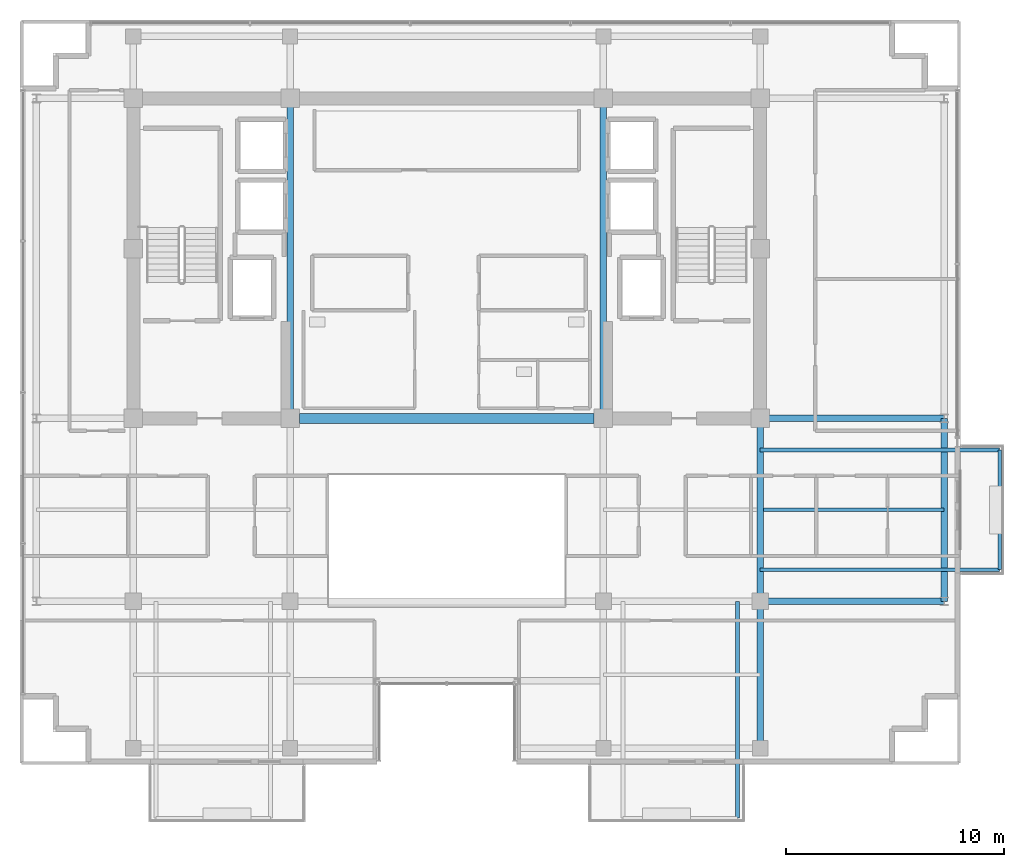
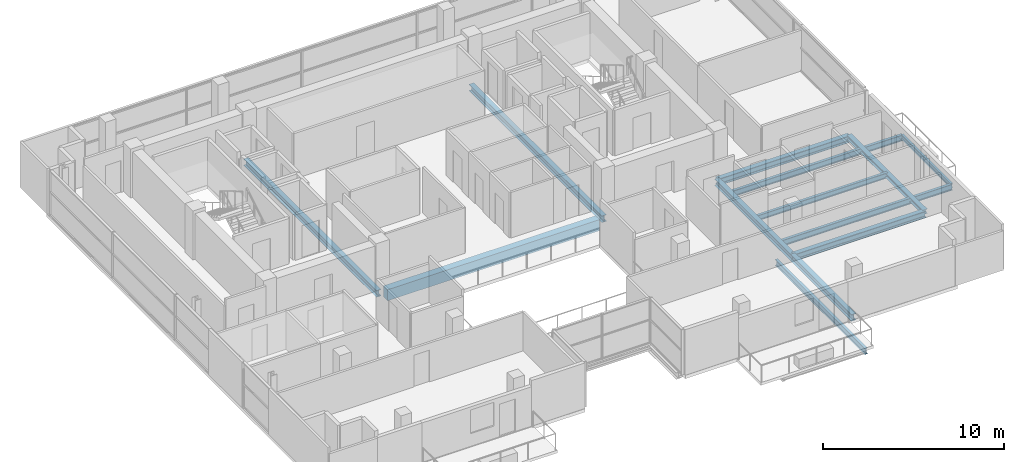
# One storey, part 8 of 22: 13 beams.
"""IFC4 building model written with IfcOpenShell, lengths in metres."""

from ifc_helpers import new_model, si_unit, direction, frame, origin, origin_2d, place, context, subcontext, project, spatial, rectangle, i_section, extrude, material, material_profile, profile_set, type_object, element, save


model = new_model("IFC4")

# Units and contexts
model_context = context("Model", 3, precision=1e-05, world=origin(), true_north=direction((0.0, 1.0)))
body_context = subcontext(model_context, "Body", "Model", "MODEL_VIEW")
ifc_project = project(units=[si_unit("LENGTHUNIT", "METRE"), si_unit("AREAUNIT", "SQUARE_METRE"), si_unit("VOLUMEUNIT", "CUBIC_METRE"), si_unit("PLANEANGLEUNIT", "RADIAN"), si_unit("MASSUNIT", "GRAM", prefix="KILO")], contexts=[model_context])

# Site, building, storey
site_placement = place(None, origin())
site = spatial("IfcSite", under=ifc_project, at=site_placement, CompositionType="ELEMENT")
building_placement = place(site_placement, origin())
building = spatial("IfcBuilding", under=site, at=building_placement, Name="Zarnakvel Exchange Tower", CompositionType="ELEMENT")
storey_placement = place(building_placement, frame((0.0, 0.0, 251.800048828125)))
storey = spatial("IfcBuildingStorey", under=building, at=storey_placement, Name="L71", CompositionType="ELEMENT", Elevation=251.800048828125)

# Beams
ifc_material_1 = material(Name="Steel S355", Category="steel")
ifc_material_profile_1 = material_profile(ifc_material_1, i_section(OverallWidth=0.179931640625, OverallDepth=0.39990234375, WebThickness=0.008544921875, FlangeThickness=0.013427734375, FilletRadius=0.02099609375, at=origin_2d()))
ifc_profile_set_1 = profile_set([ifc_material_profile_1], Name="Steel S355")
beam_type_1 = type_object("IfcBeamType", Name="B-06", PredefinedType="JOIST", material=ifc_profile_set_1)
beam_1_placement = place(storey_placement, frame((13.35009765625, -9.60009765625, -0.425048828125), z_axis=(0.0, -1.0, 0.0), x_axis=(1.0, 0.0, 0.0)))
element("IfcBeam", 1, at=beam_1_placement, inside=storey, type_object=beam_type_1, Name="L71 Continuous Back-Spanned Balcony Beam E", PredefinedType="JOIST", context=body_context, shape_type="SweptSolid", body=[
    extrude(i_section(OverallWidth=0.179931640625, OverallDepth=0.39990234375, WebThickness=0.008544921875, FlangeThickness=0.013427734375, FilletRadius=0.02099609375, at=origin_2d()), origin(), (0.0, 0.0, 1.0), 9.949951171875),
])
for number, where, z_axis, x_axis, name in (
    (2, (14.39990234375, -8.14990234375, -0.425048828125), (1.0, 0.0, 0.0), (0.0, 1.0, 0.0), "L71 Continuous East Loggia Beam S"),
    (3, (14.39990234375, -2.64990234375, -0.425048828125), (1.0, 0.0, 0.0), (0.0, 1.0, 0.0), "L71 Continuous East Loggia Beam N"),
):
    element("IfcBeam", number, at=place(storey_placement, frame(where, z_axis=z_axis, x_axis=x_axis)), inside=storey, type_object=beam_type_1, Name=name, PredefinedType="JOIST", context=body_context, shape_type="SweptSolid", body=[
        extrude(i_section(OverallWidth=0.179931640625, OverallDepth=0.39990234375, WebThickness=0.008544921875, FlangeThickness=0.013427734375, FilletRadius=0.02099609375, at=origin_2d()), origin(), (0.0, 0.0, 1.0), 11.0),
    ])
ifc_material_profile_2 = material_profile(ifc_material_1, i_section(OverallWidth=0.169921875, OverallDepth=0.360107421875, WebThickness=0.008056640625, FlangeThickness=0.0126953125, FilletRadius=0.01806640625, at=origin_2d()))
ifc_profile_set_2 = profile_set([ifc_material_profile_2], Name="Steel S355")
beam_type_2 = type_object("IfcBeamType", Name="B-07", PredefinedType="JOIST", material=ifc_profile_set_2)
beam_2_placement = place(storey_placement, frame((14.550048828125, -5.39990234375, -0.405029296875), z_axis=(1.0, 0.0, 0.0), x_axis=(0.0, 1.0, 0.0)))
element("IfcBeam", 4, at=beam_2_placement, inside=storey, type_object=beam_type_2, Name="L71 Composite Floor Secondary Joist", PredefinedType="JOIST", context=body_context, shape_type="SweptSolid", body=[
    extrude(i_section(OverallWidth=0.169921875, OverallDepth=0.360107421875, WebThickness=0.008056640625, FlangeThickness=0.0126953125, FilletRadius=0.01806640625, at=origin_2d()), origin(), (0.0, 0.0, 1.0), 8.300048828125),
])
ifc_material_profile_3 = material_profile(ifc_material_1, i_section(OverallWidth=0.14990234375, OverallDepth=0.300048828125, WebThickness=0.007080078125, FlangeThickness=0.0107421875, FilletRadius=0.014892578125, at=origin_2d()))
ifc_profile_set_3 = profile_set([ifc_material_profile_3], Name="Steel S355")
beam_type_3 = type_object("IfcBeamType", Name="B-08", PredefinedType="JOIST", material=ifc_profile_set_3)
beam_3_placement = place(storey_placement, frame((25.39990234375, -8.14990234375, -0.375), z_axis=(0.0, 1.0, 0.0), x_axis=(-1.0, 0.0, 0.0)))
element("IfcBeam", 5, at=beam_3_placement, inside=storey, type_object=beam_type_3, Name="L71 East Loggia Edge Beam", PredefinedType="JOIST", context=body_context, shape_type="SweptSolid", body=[
    extrude(i_section(OverallWidth=0.14990234375, OverallDepth=0.300048828125, WebThickness=0.007080078125, FlangeThickness=0.0107421875, FilletRadius=0.014892578125, at=origin_2d()), origin(), (0.0, 0.0, 1.0), 5.5),
])
ifc_material_2 = material(Name="Concrete C50/60", Category="concrete")
ifc_material_profile_4 = material_profile(ifc_material_2, rectangle(XDim=0.449951171875, YDim=0.75, at=origin_2d()))
ifc_profile_set_4 = profile_set([ifc_material_profile_4], Name="Concrete C50/60")
beam_type_4 = type_object("IfcBeamType", Name="CB-03", PredefinedType="LINTEL", material=ifc_profile_set_4)
beam_4_placement = place(storey_placement, frame((-6.77490234375, -1.199951171875, -0.60009765625), z_axis=(1.0, 0.0, 0.0), x_axis=(0.0, 1.0, 0.0)))
element("IfcBeam", 6, at=beam_4_placement, inside=storey, type_object=beam_type_4, Name="L71 Rear Core South Coupling Beam (CB-03)", PredefinedType="LINTEL", context=body_context, shape_type="SweptSolid", body=[
    extrude(rectangle(XDim=0.449951171875, YDim=0.75, at=origin_2d()), origin(), (0.0, 0.0, 1.0), 13.5498046875),
])
ifc_material_profile_5 = material_profile(ifc_material_1, i_section(OverallWidth=0.300048828125, OverallDepth=0.449951171875, WebThickness=0.013916015625, FlangeThickness=0.02587890625, FilletRadius=0.027099609375, at=origin_2d()))
ifc_profile_set_5 = profile_set([ifc_material_profile_5], Name="Steel S355")
beam_type_5 = type_object("IfcBeamType", Name="G-07", PredefinedType="BEAM", material=ifc_profile_set_5)
for number, where, z_axis, x_axis, name in (
    (7, (14.39990234375, -9.60009765625, -0.449951171875), (1.0, 0.0, 0.0), (0.0, 1.0, 0.0), "L71 Tower E-W Frame Beam"),
    (8, (14.39990234375, -1.199951171875, -0.449951171875), (1.0, 0.0, 0.0), (0.0, 1.0, 0.0), "L71 Tower E-W Frame Beam"),
):
    element("IfcBeam", number, at=place(storey_placement, frame(where, z_axis=z_axis, x_axis=x_axis)), inside=storey, type_object=beam_type_5, Name=name, PredefinedType="BEAM", context=body_context, shape_type="SweptSolid", body=[
        extrude(i_section(OverallWidth=0.300048828125, OverallDepth=0.449951171875, WebThickness=0.013916015625, FlangeThickness=0.02587890625, FilletRadius=0.027099609375, at=origin_2d()), origin(), (0.0, 0.0, 1.0), 8.4501953125),
    ])
for number, where, z_axis, x_axis, name in (
    (9, (-7.199951171875, -1.199951171875, -0.449951171875), (0.0, 1.0, 0.0), (-1.0, 0.0, 0.0), "L71 Tower N-S Frame Beam"),
    (10, (7.199951171875, -1.199951171875, -0.449951171875), (0.0, 1.0, 0.0), (-1.0, 0.0, 0.0), "L71 Tower N-S Frame Beam"),
):
    element("IfcBeam", number, at=place(storey_placement, frame(where, z_axis=z_axis, x_axis=x_axis)), inside=storey, type_object=beam_type_5, Name=name, PredefinedType="BEAM", context=body_context, shape_type="SweptSolid", body=[
        extrude(i_section(OverallWidth=0.300048828125, OverallDepth=0.449951171875, WebThickness=0.013916015625, FlangeThickness=0.02587890625, FilletRadius=0.027099609375, at=origin_2d()), origin(), (0.0, 0.0, 1.0), 14.699951171875),
    ])
beam_5_placement = place(storey_placement, frame((14.39990234375, -16.35009765625, -0.449951171875), z_axis=(0.0, 1.0, 0.0), x_axis=(-1.0, 0.0, 0.0)))
element("IfcBeam", 11, at=beam_5_placement, inside=storey, type_object=beam_type_5, Name="L71 Tower N-S Frame Beam", PredefinedType="BEAM", context=body_context, shape_type="SweptSolid", body=[
    extrude(i_section(OverallWidth=0.300048828125, OverallDepth=0.449951171875, WebThickness=0.013916015625, FlangeThickness=0.02587890625, FilletRadius=0.027099609375, at=origin_2d()), origin(), (0.0, 0.0, 1.0), 6.75),
])
beam_6_placement = place(storey_placement, frame((14.39990234375, -9.60009765625, -0.449951171875), z_axis=(0.0, 1.0, 0.0), x_axis=(-1.0, 0.0, 0.0)))
element("IfcBeam", 12, at=beam_6_placement, inside=storey, type_object=beam_type_5, Name="L71 Tower N-S Frame Beam", PredefinedType="BEAM", context=body_context, shape_type="SweptSolid", body=[
    extrude(i_section(OverallWidth=0.300048828125, OverallDepth=0.449951171875, WebThickness=0.013916015625, FlangeThickness=0.02587890625, FilletRadius=0.027099609375, at=origin_2d()), origin(), (0.0, 0.0, 1.0), 8.400146484375),
])
ifc_material_profile_6 = material_profile(ifc_material_1, i_section(OverallWidth=0.300048828125, OverallDepth=0.300048828125, WebThickness=0.010986328125, FlangeThickness=0.01904296875, FilletRadius=0.027099609375, at=origin_2d()))
ifc_profile_set_6 = profile_set([ifc_material_profile_6], Name="Steel S355")
beam_type_6 = type_object("IfcBeamType", Name="SP-03", PredefinedType="SPANDREL", material=ifc_profile_set_6)
beam_7_placement = place(storey_placement, frame((22.85009765625, -9.60009765625, -0.375), z_axis=(0.0, 1.0, 0.0), x_axis=(-1.0, 0.0, 0.0)))
element("IfcBeam", 13, at=beam_7_placement, inside=storey, type_object=beam_type_6, Name="L71 Tower N-S Frame Beam", PredefinedType="SPANDREL", context=body_context, shape_type="SweptSolid", body=[
    extrude(i_section(OverallWidth=0.300048828125, OverallDepth=0.300048828125, WebThickness=0.010986328125, FlangeThickness=0.01904296875, FilletRadius=0.027099609375, at=origin_2d()), origin(), (0.0, 0.0, 1.0), 8.400146484375),
])

save(model, "model.ifc")
